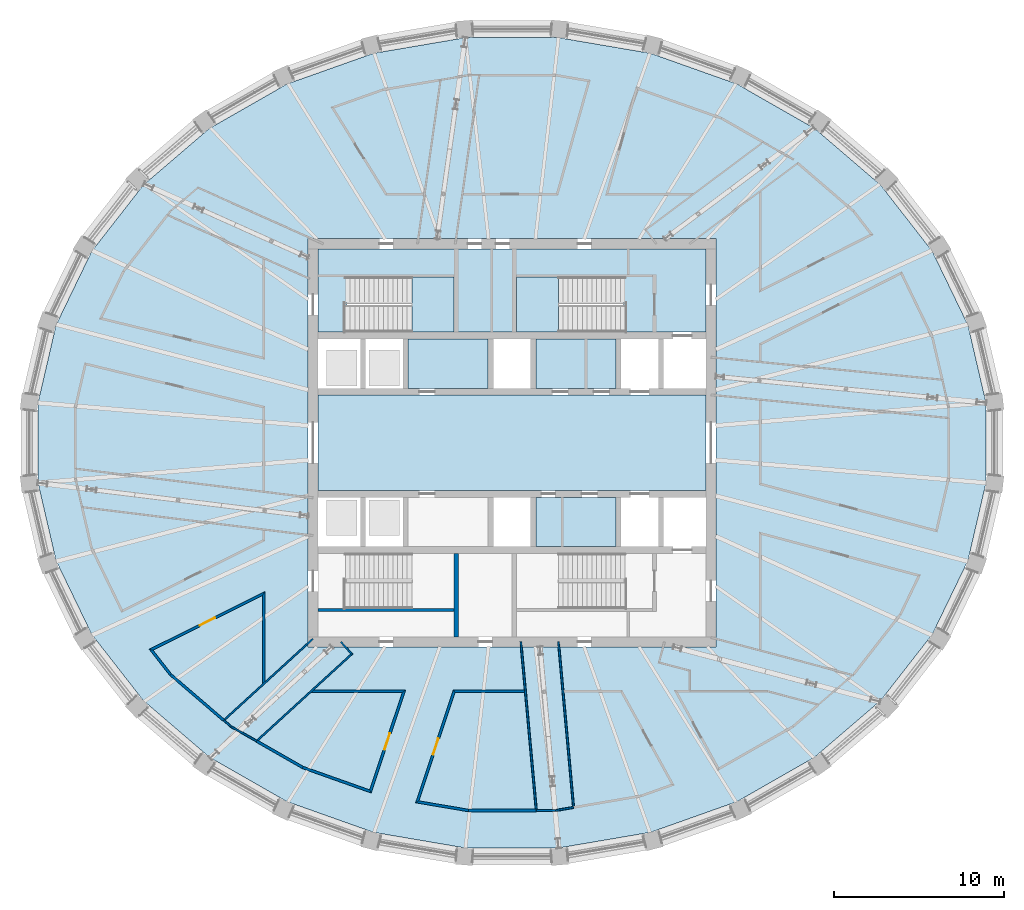
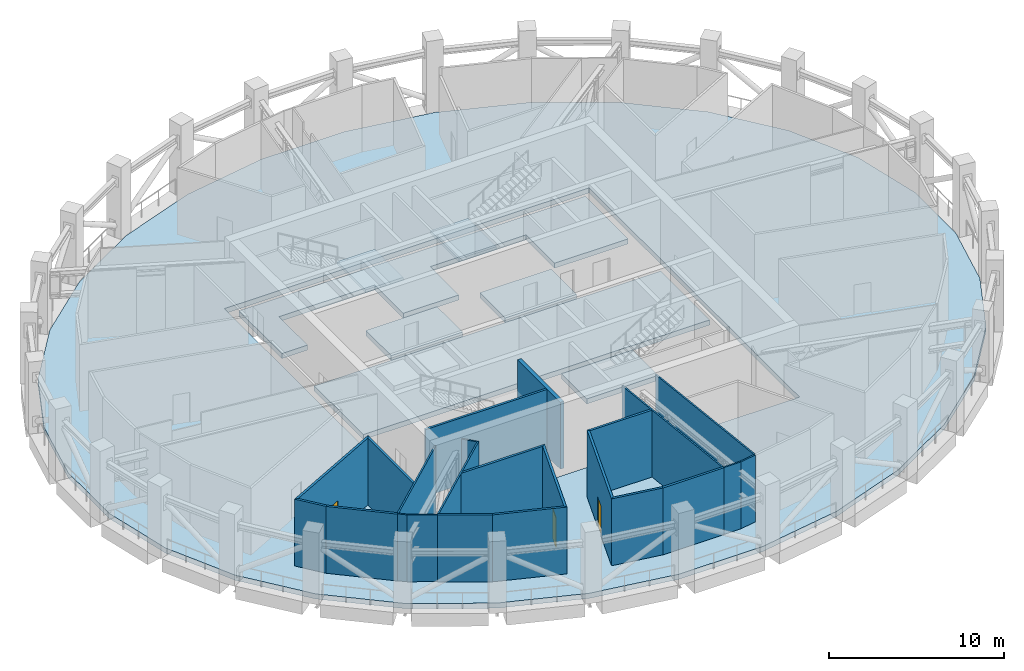
# One storey, part 7 of 20: 23 walls, 8 slabs, 3 doors, 3 openings, 2 elements without a shape of their own.
"""IFC4 building model written with IfcOpenShell, lengths in metres."""

from ifc_helpers import new_model, si_unit, direction, frame, frame_2d, origin, place, context, subcontext, project, spatial, polyline, rectangle, outline, extrude, material, layer, layer_set, type_object, element, fill, aggregate, save


model = new_model("IFC4")

# Units and contexts
model_context = context("Model", 3, precision=1e-05, world=origin(), true_north=direction((0.0, 1.0)))
body_context = subcontext(model_context, "Body", "Model", "MODEL_VIEW")
ifc_project = project(units=[si_unit("LENGTHUNIT", "METRE"), si_unit("AREAUNIT", "SQUARE_METRE"), si_unit("VOLUMEUNIT", "CUBIC_METRE"), si_unit("PLANEANGLEUNIT", "RADIAN"), si_unit("MASSUNIT", "GRAM", prefix="KILO")], contexts=[model_context])

# Site, building, storey
site_placement = place(None, origin())
site = spatial("IfcSite", under=ifc_project, at=site_placement, CompositionType="ELEMENT")
building_placement = place(site_placement, origin())
building = spatial("IfcBuilding", under=site, at=building_placement, Name="Halqa Exchange Tower", CompositionType="ELEMENT")
storey_placement = place(building_placement, frame((0.0, 0.0, 328.300048828125)))
storey = spatial("IfcBuildingStorey", under=building, at=storey_placement, Name="L77", CompositionType="ELEMENT", Elevation=328.300048828125)

# Slabs
ifc_material_1 = material(Name="Concrete C60/75", Category="concrete")
ifc_layer_1 = layer(ifc_material_1, 0.35009765625)
ifc_layer_set_1 = layer_set([ifc_layer_1], Name="Concrete C60/75")
slab_type_1 = type_object("IfcSlabType", Name="Core floor slab 350", PredefinedType="FLOOR", material=ifc_layer_set_1)
slab_1_placement = place(storey_placement, frame((0.0, 0.0, -0.35009765625)))
element("IfcSlab", 1, at=slab_1_placement, inside=storey, type_object=slab_type_1, Name="Core floor slab", PredefinedType="FLOOR", context=body_context, shape_type="SweptSolid", body=[
    extrude(outline(polyline([(-11.39990234375, 2.800048828125), (11.39990234375, 2.800048828125), (11.39990234375, -2.800048828125), (-11.39990234375, -2.800048828125), (-11.39990234375, 2.800048828125)])), origin(), (0.0, 0.0, 1.0), 0.35009765625),
])
slab_2_placement = place(storey_placement, frame((0.0, 0.0, -0.35009765625)))
element("IfcSlab", 2, at=slab_2_placement, inside=storey, type_object=slab_type_1, Name="Core floor slab", PredefinedType="FLOOR", context=body_context, shape_type="SweptSolid", body=[
    extrude(outline(polyline([(-11.39990234375, 11.39990234375), (11.39990234375, 11.39990234375), (11.39990234375, 6.5), (6.550048828125, 6.5), (6.550048828125, 9.75), (0.25, 9.75), (0.25, 6.5), (-3.39990234375, 6.5), (-3.39990234375, 9.75), (-9.699951171875, 9.75), (-9.699951171875, 6.5), (-11.39990234375, 6.5), (-11.39990234375, 11.39990234375)])), origin(), (0.0, 0.0, 1.0), 0.35009765625),
])
slab_3_placement = place(storey_placement, frame((0.0, 0.0, -0.35009765625)))
element("IfcSlab", 3, at=slab_3_placement, inside=storey, type_object=slab_type_1, Name="Core floor slab", PredefinedType="FLOOR", context=body_context, shape_type="SweptSolid", body=[
    extrude(outline(polyline([(-1.39990234375, 3.199951171875), (-6.10009765625, 3.199951171875), (-6.10009765625, 6.10009765625), (-1.39990234375, 6.10009765625), (-1.39990234375, 3.199951171875)])), origin(), (0.0, 0.0, 1.0), 0.35009765625),
])
slab_4_placement = place(storey_placement, frame((0.0, 0.0, -0.35009765625)))
element("IfcSlab", 4, at=slab_4_placement, inside=storey, type_object=slab_type_1, Name="Core floor slab", PredefinedType="FLOOR", context=body_context, shape_type="SweptSolid", body=[
    extrude(outline(polyline([(6.10009765625, -3.199951171875), (6.10009765625, -6.10009765625), (1.39990234375, -6.10009765625), (1.39990234375, -3.199951171875), (6.10009765625, -3.199951171875)])), origin(), (0.0, 0.0, 1.0), 0.35009765625),
])
slab_5_placement = place(storey_placement, frame((0.0, 0.0, -0.35009765625)))
element("IfcSlab", 5, at=slab_5_placement, inside=storey, type_object=slab_type_1, Name="Core floor slab", PredefinedType="FLOOR", context=body_context, shape_type="SweptSolid", body=[
    extrude(outline(polyline([(6.10009765625, 6.10009765625), (6.10009765625, 3.199951171875), (1.39990234375, 3.199951171875), (1.39990234375, 6.10009765625), (6.10009765625, 6.10009765625)])), origin(), (0.0, 0.0, 1.0), 0.35009765625),
])
ifc_material_2 = material(Name="Concrete C40/50", Category="concrete")
ifc_layer_2 = layer(ifc_material_2, 0.35009765625)
ifc_layer_set_2 = layer_set([ifc_layer_2], Name="Concrete C40/50")
slab_type_2 = type_object("IfcSlabType", Name="RC floor slab 350", PredefinedType="FLOOR", material=ifc_layer_set_2)
slab_6_placement = place(storey_placement, frame((0.0, 0.0, -0.35009765625)))
element("IfcSlab", 6, at=slab_6_placement, inside=storey, type_object=slab_type_2, Name="Floor slab", PredefinedType="FLOOR", context=body_context, shape_type="SweptSolid", body=[
    extrude(outline(polyline([(27.86279296875, 2.337158203125), (27.86279296875, -2.337158203125), (26.79833984375, -6.923828125), (24.707763671875, -11.250244140625), (21.667236328125, -15.150390625), (17.790771484375, -18.47314453125), (13.22509765625, -21.087890625), (8.146484375, -22.89111328125), (2.751220703125, -23.81103515625), (-2.751220703125, -23.81103515625), (-8.146484375, -22.89111328125), (-13.22509765625, -21.087890625), (-17.790771484375, -18.47314453125), (-21.667236328125, -15.150390625), (-24.707763671875, -11.250244140625), (-26.79833984375, -6.923828125), (-27.86279296875, -2.337158203125), (-27.86279296875, 2.337158203125), (-26.79833984375, 6.923828125), (-24.707763671875, 11.250244140625), (-21.667236328125, 15.150390625), (-17.790771484375, 18.47314453125), (-13.22509765625, 21.087890625), (-8.146484375, 22.89111328125), (-2.751220703125, 23.81103515625), (2.751220703125, 23.81103515625), (8.146484375, 22.89111328125), (13.22509765625, 21.087890625), (17.790771484375, 18.47314453125), (21.667236328125, 15.150390625), (24.707763671875, 11.250244140625), (26.79833984375, 6.923828125), (27.86279296875, 2.337158203125)]), holes=[polyline([(-12.0, -12.0), (12.0, -12.0), (12.0, 12.0), (-12.0, 12.0), (-12.0, -12.0)])]), origin(), (0.0, 0.0, 1.0), 0.35009765625),
])

# Stair, slab
ifc_material_3 = material(Name="Concrete C30/37", Category="concrete")
stair_type = type_object("IfcStairType", Name="Exit stair 1500 wide", PredefinedType="HALF_TURN_STAIR", material=ifc_material_3)
stair_1_placement = place(storey_placement, origin())
stair_1 = element("IfcStair", 7, at=stair_1_placement, inside=storey, type_object=stair_type, Name="Exit stair ST1", PredefinedType="HALF_TURN_STAIR")
ifc_layer_3 = layer(ifc_material_3, 0.199951171875)
ifc_layer_set_3 = layer_set([ifc_layer_3], Name="Concrete C30/37")
slab_type_3 = type_object("IfcSlabType", Name="Stair landing 200 slab", PredefinedType="LANDING", material=ifc_layer_set_3)
slab_7_placement = place(storey_placement, frame((0.0, 0.0, 2.300048828125)))
slab_7 = element("IfcSlab", 8, at=slab_7_placement, type_object=slab_type_3, Name="ST1 landing 1", PredefinedType="LANDING", context=body_context, shape_type="SweptSolid", body=[
    extrude(outline(polyline([(-5.8798828125, 6.5), (-3.39990234375, 6.5), (-3.39990234375, 9.75), (-5.8798828125, 9.75), (-5.8798828125, 6.5)])), origin(), (0.0, 0.0, 1.0), 0.199951171875),
])
aggregate(stair_1, [slab_7])

stair_2_placement = place(storey_placement, origin())
stair_2 = element("IfcStair", 9, at=stair_2_placement, inside=storey, type_object=stair_type, Name="Exit stair ST2", PredefinedType="HALF_TURN_STAIR")
slab_8_placement = place(storey_placement, frame((0.0, 0.0, 2.300048828125)))
slab_8 = element("IfcSlab", 10, at=slab_8_placement, type_object=slab_type_3, Name="ST2 landing 1", PredefinedType="LANDING", context=body_context, shape_type="SweptSolid", body=[
    extrude(outline(polyline([(0.25, 6.5), (2.72998046875, 6.5), (2.72998046875, 9.75), (0.25, 9.75), (0.25, 6.5)])), origin(), (0.0, 0.0, 1.0), 0.199951171875),
])
aggregate(stair_2, [slab_8])

# Walls
ifc_material_4 = material(Name="Fire-rated gypsum board")
ifc_layer_4 = layer(ifc_material_4, 0.14990234375)
ifc_layer_set_4 = layer_set([ifc_layer_4], Name="Fire-rated gypsum board")
wall_type_1 = type_object("IfcWallType", Name="Fire partition EI 60 150", PredefinedType="PARTITIONING", material=ifc_layer_set_4)
wall_1_placement = place(storey_placement, frame((-21.266357421875, -12.087646484375, 0.0), z_axis=(0.0, 0.0, 1.0), x_axis=(0.615359969765, -0.788246222706, 0.0)))
element("IfcWall", 11, at=wall_1_placement, inside=storey, type_object=wall_type_1, Name="L77-PWL-012", PredefinedType="PARTITIONING", context=body_context, shape_type="SweptSolid", body=[
    extrude(outline(polyline([(0.000244140625, -0.074951171875), (1.951416015625, -0.074951171875), (1.9365234375, 0.074951171875), (0.18359375, 0.074951171875), (0.000244140625, -0.074951171875)])), origin(), (0.0, 0.0, 1.0), 4.64990234375),
])
wall_2_placement = place(storey_placement, frame((-20.07568359375, -13.614990234375, 0.0), z_axis=(0.0, 0.0, 1.0), x_axis=(0.75838482234, -0.651807073638, 0.0)))
element("IfcWall", 12, at=wall_2_placement, inside=storey, type_object=wall_type_1, Name="L77-PWL-015", PredefinedType="PARTITIONING", context=body_context, shape_type="SweptSolid", body=[
    extrude(outline(polyline([(4.134765625, 0.074951171875), (2.761474609375, 0.074951171875), (1.38818359375, 0.074951171875), (0.01513671875, 0.074951171875), (0.000244140625, -0.074951171875), (1.37841796875, -0.074951171875), (2.756591796875, -0.074951171875), (4.134765625, -0.074951171875), (4.134765625, 0.074951171875)])), origin(), (0.0, 0.0, 1.0), 4.64990234375),
])
wall_3_placement = place(storey_placement, frame((-15.010009765625, -17.530029296875, 0.0), z_axis=(0.0, 0.0, 1.0), x_axis=(0.868060601706, -0.496458247757, 0.0)))
element("IfcWall", 13, at=wall_3_placement, inside=storey, type_object=wall_type_1, Name="L77-PWL-022", PredefinedType="PARTITIONING", context=body_context, shape_type="SweptSolid", body=[
    extrude(outline(polyline([(3.128662109375, -0.074951171875), (3.128662109375, -0.074951171875), (3.115234375, 0.074951171875), (1.5576171875, 0.074951171875), (0.0, 0.074951171875), (0.0, -0.074951171875), (1.564453125, -0.074951171875), (3.128662109375, -0.074951171875)])), origin(), (0.0, 0.0, 1.0), 4.64990234375),
])
wall_4_placement = place(storey_placement, frame((-14.60009765625, -14.17138671875, 0.0), z_axis=(0.0, 0.0, 1.0), x_axis=(0.0, 1.0, 0.0)))
element("IfcWall", 14, at=wall_4_placement, inside=storey, type_object=wall_type_1, Name="L77-PWL-024", PredefinedType="PARTITIONING", context=body_context, shape_type="SweptSolid", body=[
    extrude(outline(polyline([(0.13671875, -0.074951171875), (1.90185546875, -0.074951171875), (3.667236328125, -0.074951171875), (5.432373046875, -0.074951171875), (5.311279296875, 0.0), (5.190185546875, 0.074951171875), (5.190185546875, 0.074951171875), (5.18994140625, 0.074951171875), (3.4599609375, 0.074951171875), (1.72998046875, 0.074951171875), (0.0, 0.074951171875), (0.0, 0.074462890625), (0.13671875, -0.074951171875)])), origin(), (0.0, 0.0, 1.0), 4.64990234375),
])

# Wall, opening, door
wall_5_placement = place(storey_placement, frame((-14.491455078125, -8.805908203125, 0.0), z_axis=(0.0, 0.0, 1.0), x_axis=(-0.89470325258, -0.446661045786, 0.0)))
wall_5 = element("IfcWall", 15, at=wall_5_placement, inside=storey, type_object=wall_type_1, Name="L77-PWL-025", PredefinedType="PARTITIONING", context=body_context, shape_type="SweptSolid", body=[
    extrude(outline(polyline([(7.600830078125, -0.074951171875), (7.600830078125, -0.074951171875), (7.41748046875, 0.074951171875), (5.623779296875, 0.074951171875), (3.830078125, 0.074951171875), (2.036376953125, 0.074951171875), (0.24267578125, 0.074951171875), (0.000244140625, -0.074951171875), (1.900390625, -0.074951171875), (3.800537109375, -0.074951171875), (5.70068359375, -0.074951171875), (7.600830078125, -0.074951171875)])), origin(), (0.0, 0.0, 1.0), 4.64990234375),
])
opening_1_placement = place(wall_5_placement, frame((3.315185546875, 0.0, 0.0)))
opening_1 = element("IfcOpeningElement", 16, at=opening_1_placement, cuts=wall_5, Name="Opening L77-02", PredefinedType="OPENING", context=body_context, shape_type="SweptSolid", body=[
    extrude(rectangle(XDim=1.0, YDim=2.10009765625, at=frame_2d((0.5, 1.050048828125))), frame((0.0, 0.0869140625, 0.0), z_axis=(0.0, -1.0, 0.0), x_axis=(1.0, 0.0, 0.0)), (0.0, 0.0, 1.0), 0.173828125),
])
ifc_material_5 = material(Name="Steel fire door leaf", Category="steel")
door_type = type_object("IfcDoorType", Name="Fire door FD30S 1000 x 2100", OperationType="SINGLE_SWING_LEFT", PredefinedType="DOOR", material=ifc_material_5)
door_1_placement = place(opening_1_placement, origin())
door_1 = element("IfcDoor", 17, at=door_1_placement, inside=storey, type_object=door_type, Name="L77-IDR-002", OperationType="SINGLE_SWING_RIGHT", OverallHeight=2.10009765625, OverallWidth=1.0, PredefinedType="DOOR", context=body_context, shape_type="SweptSolid", body=[
    extrude(rectangle(XDim=1.0, YDim=2.10009765625, at=frame_2d((0.5, 1.050048828125))), frame((0.0, 0.02490234375, 0.0), z_axis=(0.0, -1.0, 0.0), x_axis=(1.0, 0.0, 0.0)), (0.0, 0.0, 1.0), 0.050048828125),
])
fill(opening_1, door_1)

# Wall
wall_6_placement = place(storey_placement, frame((-12.306396484375, -19.077880859375, 0.0), z_axis=(0.0, 0.0, 1.0), x_axis=(0.9426149562, -0.333881781995, 0.0)))
element("IfcWall", 18, at=wall_6_placement, inside=storey, type_object=wall_type_1, Name="L77-PWL-030", PredefinedType="PARTITIONING", context=body_context, shape_type="SweptSolid", body=[
    extrude(outline(polyline([(0.0, -0.074951171875), (1.43505859375, -0.074951171875), (2.8701171875, -0.074951171875), (4.305419921875, -0.074951171875), (4.15283203125, 0.074951171875), (2.77294921875, 0.074951171875), (1.393310546875, 0.074951171875), (0.013427734375, 0.074951171875), (0.0, -0.074951171875), (0.0, -0.074951171875)])), origin(), (0.0, 0.0, 1.0), 4.64990234375),
])

# Wall, opening, door
wall_7_placement = place(storey_placement, frame((-8.34423828125, -20.5625, 0.0), z_axis=(0.0, 0.0, 1.0), x_axis=(0.317201665136, 0.948358109384, 0.0)))
wall_7 = element("IfcWall", 19, at=wall_7_placement, inside=storey, type_object=wall_type_1, Name="L77-PWL-033", PredefinedType="PARTITIONING", context=body_context, shape_type="SweptSolid", body=[
    extrude(outline(polyline([(0.000244140625, -0.074951171875), (1.597900390625, -0.074951171875), (3.19580078125, -0.074951171875), (4.79345703125, -0.074951171875), (6.391357421875, -0.074951171875), (6.18310546875, 0.074951171875), (4.675537109375, 0.074951171875), (3.16796875, 0.074951171875), (1.660400390625, 0.074951171875), (0.15283203125, 0.074951171875), (0.000244140625, -0.074951171875)])), origin(), (0.0, 0.0, 1.0), 4.64990234375),
])
opening_2_placement = place(wall_7_placement, frame((2.681640625, 0.0, 0.0)))
opening_2 = element("IfcOpeningElement", 20, at=opening_2_placement, cuts=wall_7, Name="Opening L77-03", PredefinedType="OPENING", context=body_context, shape_type="SweptSolid", body=[
    extrude(rectangle(XDim=1.0, YDim=2.10009765625, at=frame_2d((0.5, 1.050048828125))), frame((0.0, 0.0869140625, 0.0), z_axis=(0.0, -1.0, 0.0), x_axis=(1.0, 0.0, 0.0)), (0.0, 0.0, 1.0), 0.173828125),
])
door_2_placement = place(opening_2_placement, origin())
door_2 = element("IfcDoor", 21, at=door_2_placement, inside=storey, type_object=door_type, Name="L77-IDR-003", OperationType="SINGLE_SWING_RIGHT", OverallHeight=2.10009765625, OverallWidth=1.0, PredefinedType="DOOR", context=body_context, shape_type="SweptSolid", body=[
    extrude(rectangle(XDim=1.0, YDim=2.10009765625, at=frame_2d((0.5, 1.050048828125))), frame((0.0, 0.02490234375, 0.0), z_axis=(0.0, -1.0, 0.0), x_axis=(1.0, 0.0, 0.0)), (0.0, 0.0, 1.0), 0.050048828125),
])
fill(opening_2, door_2)

# Walls
wall_8_placement = place(storey_placement, frame((-6.245849609375, -14.60009765625, 0.0), z_axis=(0.0, 0.0, 1.0), x_axis=(-1.0, 0.0, 0.0)))
element("IfcWall", 22, at=wall_8_placement, inside=storey, type_object=wall_type_1, Name="L77-PWL-037", PredefinedType="PARTITIONING", context=body_context, shape_type="SweptSolid", body=[
    extrude(outline(polyline([(0.000244140625, -0.074951171875), (1.80126953125, -0.074951171875), (3.602294921875, -0.074951171875), (5.403564453125, -0.074951171875), (5.5673828125, 0.074951171875), (3.781005859375, 0.074951171875), (1.994873046875, 0.074951171875), (0.20849609375, 0.074951171875), (0.208251953125, 0.074951171875), (0.208251953125, 0.074951171875), (0.104248046875, 0.0), (0.000244140625, -0.074951171875)])), origin(), (0.0, 0.0, 1.0), 4.64990234375),
])
wall_9_placement = place(storey_placement, frame((-5.65625, -21.08544921875, 0.0), z_axis=(0.0, 0.0, 1.0), x_axis=(0.985950038145, -0.167040480967, 0.0)))
element("IfcWall", 23, at=wall_9_placement, inside=storey, type_object=wall_type_1, Name="L77-PWL-038", PredefinedType="PARTITIONING", context=body_context, shape_type="SweptSolid", body=[
    extrude(outline(polyline([(0.0, -0.074951171875), (1.5732421875, -0.074951171875), (3.146728515625, -0.074951171875), (3.134033203125, 0.074951171875), (1.654541015625, 0.074951171875), (0.1748046875, 0.074951171875), (0.0, -0.074951171875), (0.0, -0.074951171875)])), origin(), (0.0, 0.0, 1.0), 4.64990234375),
])

# Wall, opening, door
wall_10_placement = place(storey_placement, frame((-3.3828125, -14.548583984375, 0.0), z_axis=(0.0, 0.0, 1.0), x_axis=(-0.316657063648, -0.948540090899, 0.0)))
wall_10 = element("IfcWall", 24, at=wall_10_placement, inside=storey, type_object=wall_type_1, Name="L77-PWL-040", PredefinedType="PARTITIONING", context=body_context, shape_type="SweptSolid", body=[
    extrude(outline(polyline([(0.000244140625, -0.074951171875), (1.748779296875, -0.074951171875), (3.497314453125, -0.074951171875), (5.245849609375, -0.074951171875), (6.994384765625, -0.074951171875), (6.8193359375, 0.074951171875), (5.1416015625, 0.074951171875), (3.463623046875, 0.074951171875), (1.785888671875, 0.074951171875), (0.108154296875, 0.074951171875), (0.000244140625, -0.074951171875)])), origin(), (0.0, 0.0, 1.0), 4.64990234375),
])
opening_3_placement = place(wall_10_placement, frame((2.98046875, 0.0, 0.0)))
opening_3 = element("IfcOpeningElement", 25, at=opening_3_placement, cuts=wall_10, Name="Opening L77-04", PredefinedType="OPENING", context=body_context, shape_type="SweptSolid", body=[
    extrude(rectangle(XDim=1.0, YDim=2.10009765625, at=frame_2d((0.5, 1.050048828125))), frame((0.0, 0.0869140625, 0.0), z_axis=(0.0, -1.0, 0.0), x_axis=(1.0, 0.0, 0.0)), (0.0, 0.0, 1.0), 0.173828125),
])
door_3_placement = place(opening_3_placement, origin())
door_3 = element("IfcDoor", 26, at=door_3_placement, inside=storey, type_object=door_type, Name="L77-IDR-004", OperationType="SINGLE_SWING_LEFT", OverallHeight=2.10009765625, OverallWidth=1.0, PredefinedType="DOOR", context=body_context, shape_type="SweptSolid", body=[
    extrude(rectangle(XDim=1.0, YDim=2.10009765625, at=frame_2d((0.5, 1.050048828125))), frame((0.0, 0.02490234375, 0.0), z_axis=(0.0, -1.0, 0.0), x_axis=(1.0, 0.0, 0.0)), (0.0, 0.0, 1.0), 0.050048828125),
])
fill(opening_3, door_3)

# Walls
wall_11_placement = place(storey_placement, frame((-2.56640625, -21.610107421875, 0.0), z_axis=(0.0, 0.0, 1.0), x_axis=(1.0, 0.0, 0.0)))
element("IfcWall", 27, at=wall_11_placement, inside=storey, type_object=wall_type_1, Name="L77-PWL-043", PredefinedType="PARTITIONING", context=body_context, shape_type="SweptSolid", body=[
    extrude(outline(polyline([(3.996337890625, 0.074951171875), (2.004638671875, 0.074951171875), (0.0126953125, 0.074951171875), (0.0, -0.074951171875), (1.998291015625, -0.074951171875), (3.996337890625, -0.074951171875), (3.996337890625, 0.074951171875)])), origin(), (0.0, 0.0, 1.0), 4.64990234375),
])
wall_12_placement = place(storey_placement, frame((0.742431640625, -14.60009765625, 0.0), z_axis=(0.0, 0.0, 1.0), x_axis=(-1.0, 0.0, 0.0)))
element("IfcWall", 28, at=wall_12_placement, inside=storey, type_object=wall_type_1, Name="L77-PWL-047", PredefinedType="PARTITIONING", context=body_context, shape_type="SweptSolid", body=[
    extrude(outline(polyline([(0.01318359375, -0.074951171875), (1.40771484375, -0.074951171875), (2.802001953125, -0.074951171875), (4.1962890625, -0.074951171875), (4.142333984375, 0.0), (4.08837890625, 0.074951171875), (2.7255859375, 0.074951171875), (1.36279296875, 0.074951171875), (0.0, 0.074951171875), (0.0, 0.0693359375), (0.01318359375, -0.074951171875)])), origin(), (0.0, 0.0, 1.0), 4.64990234375),
])
ifc_material_6 = material(Name="Gypsum board")
ifc_layer_5 = layer(ifc_material_6, 0.10009765625)
ifc_layer_set_5 = layer_set([ifc_layer_5], Name="Gypsum board")
wall_type_2 = type_object("IfcWallType", Name="Partition 100 gypsum", PredefinedType="PARTITIONING", material=ifc_layer_set_5)
wall_13_placement = place(storey_placement, frame((-16.93994140625, -16.31005859375, 0.0), z_axis=(0.0, 0.0, 1.0), x_axis=(0.759287493017, -0.650755332632, 0.0)))
element("IfcWall", 29, at=wall_13_placement, inside=storey, type_object=wall_type_2, Name="L77-PWL-019", PredefinedType="PARTITIONING", context=body_context, shape_type="SweptSolid", body=[
    extrude(outline(polyline([(0.557861328125, -0.050048828125), (0.557861328125, -0.0498046875), (0.54833984375, 0.050048828125), (0.0, 0.050048828125), (0.0, -0.050048828125), (0.557861328125, -0.050048828125)])), origin(), (0.0, 0.0, 1.0), 4.64990234375),
])
wall_14_placement = place(storey_placement, frame((-16.898193359375, -16.27197265625, 0.0), z_axis=(0.0, 0.0, 1.0), x_axis=(0.738080105563, 0.674713092931, 0.0)))
element("IfcWall", 30, at=wall_14_placement, inside=storey, type_object=wall_type_2, Name="L77-PWL-020", PredefinedType="PARTITIONING", context=body_context, shape_type="SweptSolid", body=[
    extrude(outline(polyline([(7.04296875, 0.050048828125), (5.152099609375, 0.050048828125), (3.26123046875, 0.050048828125), (3.25927734375, 0.048095703125), (3.257080078125, 0.050048828125), (1.635009765625, 0.050048828125), (0.012939453125, 0.050048828125), (0.01806640625, 0.009033203125), (0.0, 0.0068359375), (0.0, -0.050048828125), (1.7607421875, -0.050048828125), (3.521484375, -0.050048828125), (5.2822265625, -0.050048828125), (7.04296875, -0.050048828125), (7.04296875, 0.050048828125)])), origin(), (0.0, 0.0, 1.0), 4.64990234375),
])
wall_15_placement = place(storey_placement, frame((-16.524169921875, -16.66748046875, 0.0), z_axis=(0.0, 0.0, 1.0), x_axis=(0.868906227939, -0.494976733845, 0.0)))
element("IfcWall", 31, at=wall_15_placement, inside=storey, type_object=wall_type_2, Name="L77-PWL-021", PredefinedType="PARTITIONING", context=body_context, shape_type="SweptSolid", body=[
    extrude(outline(polyline([(1.74267578125, 0.050048828125), (0.009765625, 0.050048828125), (0.0, -0.050048828125), (1.74267578125, -0.050048828125), (1.74267578125, 0.050048828125)])), origin(), (0.0, 0.0, 1.0), 4.64990234375),
])
wall_16_placement = place(storey_placement, frame((-14.983154296875, -17.50537109375, 0.0), z_axis=(0.0, 0.0, 1.0), x_axis=(0.738034752837, 0.6747627017, 0.0)))
element("IfcWall", 32, at=wall_16_placement, inside=storey, type_object=wall_type_2, Name="L77-PWL-023", PredefinedType="PARTITIONING", context=body_context, shape_type="SweptSolid", body=[
    extrude(outline(polyline([(0.058349609375, -0.050048828125), (1.52783203125, -0.050048828125), (2.99755859375, -0.050048828125), (4.467041015625, -0.050048828125), (4.46923828125, -0.0478515625), (4.4716796875, -0.050048828125), (6.036376953125, -0.050048828125), (7.601318359375, -0.050048828125), (7.601318359375, -0.050048828125), (7.55126953125, 0.0), (7.501220703125, 0.050048828125), (7.501220703125, 0.050048828125), (5.6259765625, 0.050048828125), (3.750732421875, 0.050048828125), (1.875244140625, 0.050048828125), (0.0, 0.050048828125), (0.0, 0.0498046875), (0.010986328125, 0.015380859375), (0.0, 0.01171875), (0.0, 0.01171875), (0.034912109375, 0.02294921875), (0.058349609375, -0.050048828125)])), origin(), (0.0, 0.0, 1.0), 4.64990234375),
])
wall_17_placement = place(storey_placement, frame((-9.376220703125, -12.447021484375, 0.0), z_axis=(0.0, 0.0, 1.0), x_axis=(-0.67520050009, 0.73763424858, 0.0)))
element("IfcWall", 33, at=wall_17_placement, inside=storey, type_object=wall_type_2, Name="L77-PWL-032", PredefinedType="PARTITIONING", context=body_context, shape_type="SweptSolid", body=[
    extrude(outline(polyline([(1.0126953125, 0.050048828125), (0.100341796875, 0.050048828125), (0.0, -0.050048828125), (1.0126953125, -0.050048828125), (1.0126953125, 0.050048828125)])), origin(), (0.0, 0.0, 1.0), 4.64990234375),
])
wall_18_placement = place(storey_placement, frame((0.52001953125, -11.699951171875, 0.0), z_axis=(0.0, 0.0, 1.0), x_axis=(0.091437926601, -0.995810777999, 0.0)))
element("IfcWall", 34, at=wall_18_placement, inside=storey, type_object=wall_type_2, Name="L77-PWL-046", PredefinedType="PARTITIONING", context=body_context, shape_type="SweptSolid", body=[
    extrude(outline(polyline([(0.0, -0.050048828125), (1.416259765625, -0.050048828125), (2.832275390625, -0.050048828125), (2.83251953125, -0.04931640625), (2.841552734375, -0.050048828125), (4.59912109375, -0.050048828125), (6.356689453125, -0.050048828125), (8.1142578125, -0.050048828125), (9.871826171875, -0.050048828125), (9.876953125, 0.0068359375), (9.90185546875, 0.004638671875), (9.90576171875, 0.046142578125), (9.90576171875, 0.050048828125), (7.924560546875, 0.050048828125), (5.943359375, 0.050048828125), (3.96240234375, 0.050048828125), (1.981201171875, 0.050048828125), (0.0, 0.050048828125), (0.0, -0.050048828125)])), origin(), (0.0, 0.0, 1.0), 4.64990234375),
])
wall_19_placement = place(storey_placement, frame((1.429931640625, -21.610107421875, 0.0), z_axis=(0.0, 0.0, 1.0), x_axis=(1.0, 0.0, 0.0)))
element("IfcWall", 35, at=wall_19_placement, inside=storey, type_object=wall_type_2, Name="L77-PWL-048", PredefinedType="PARTITIONING", context=body_context, shape_type="SweptSolid", body=[
    extrude(outline(polyline([(1.13427734375, -0.050048828125), (1.13427734375, -0.0498046875), (1.1259765625, 0.050048828125), (0.0, 0.050048828125), (0.0, -0.050048828125), (1.13427734375, -0.050048828125)])), origin(), (0.0, 0.0, 1.0), 4.64990234375),
])
wall_20_placement = place(storey_placement, frame((2.555908203125, -21.610595703125, 0.0), z_axis=(0.0, 0.0, 1.0), x_axis=(0.985894311429, 0.167369073287, 0.0)))
element("IfcWall", 36, at=wall_20_placement, inside=storey, type_object=wall_type_2, Name="L77-PWL-049", PredefinedType="PARTITIONING", context=body_context, shape_type="SweptSolid", body=[
    extrude(outline(polyline([(1.079345703125, 0.050048828125), (0.00830078125, 0.050048828125), (0.0, -0.049072265625), (0.0, -0.050048828125), (1.079345703125, -0.050048828125), (1.079345703125, 0.050048828125)])), origin(), (0.0, 0.0, 1.0), 4.64990234375),
])
wall_21_placement = place(storey_placement, frame((2.72998046875, -11.699951171875, 0.0), z_axis=(0.0, 0.0, 1.0), x_axis=(0.091085808065, -0.995843047658, 0.0)))
element("IfcWall", 37, at=wall_21_placement, inside=storey, type_object=wall_type_2, Name="L77-PWL-053", PredefinedType="PARTITIONING", context=body_context, shape_type="SweptSolid", body=[
    extrude(outline(polyline([(9.724365234375, -0.050048828125), (9.724365234375, -0.050048828125), (9.720703125, -0.00390625), (9.69580078125, -0.005859375), (9.69140625, 0.050048828125), (7.753173828125, 0.050048828125), (5.81494140625, 0.050048828125), (3.876708984375, 0.050048828125), (1.938232421875, 0.050048828125), (0.0, 0.050048828125), (0.0, -0.050048828125), (1.94482421875, -0.050048828125), (3.8896484375, -0.050048828125), (5.834716796875, -0.050048828125), (7.779541015625, -0.050048828125), (9.724365234375, -0.050048828125)])), origin(), (0.0, 0.0, 1.0), 4.64990234375),
])
ifc_layer_6 = layer(ifc_material_3, 0.14990234375)
ifc_layer_set_6 = layer_set([ifc_layer_6], Name="Concrete C30/37")
wall_type_3 = type_object("IfcWallType", Name="RC stair wall 150 C30/37", PredefinedType="SHEAR", material=ifc_layer_set_6)
wall_22_placement = place(storey_placement, frame((-11.39990234375, -9.824951171875, 0.0), z_axis=(0.0, 0.0, 1.0), x_axis=(1.0, 0.0, 0.0)))
element("IfcWall", 38, at=wall_22_placement, inside=storey, type_object=wall_type_3, Name="Stair ST1 north wall S", PredefinedType="SHEAR", context=body_context, shape_type="SweptSolid", body=[
    extrude(rectangle(XDim=8.0, YDim=0.14990234375, at=frame_2d((4.0, 0.0))), origin(), (0.0, 0.0, 1.0), 4.64990234375),
])
ifc_layer_7 = layer(ifc_material_3, 0.25)
ifc_layer_set_7 = layer_set([ifc_layer_7], Name="Concrete C30/37")
wall_type_4 = type_object("IfcWallType", Name="RC stair wall 250 C30/37", PredefinedType="SHEAR", material=ifc_layer_set_7)
wall_23_placement = place(storey_placement, frame((-3.27490234375, -11.39990234375, 0.0), z_axis=(0.0, 0.0, 1.0), x_axis=(0.0, 1.0, 0.0)))
element("IfcWall", 39, at=wall_23_placement, inside=storey, type_object=wall_type_4, Name="Stair ST1 east wall S", PredefinedType="SHEAR", context=body_context, shape_type="SweptSolid", body=[
    extrude(rectangle(XDim=4.89990234375, YDim=0.25, at=frame_2d((2.449951171875, 0.0))), origin(), (0.0, 0.0, 1.0), 4.64990234375),
])

save(model, "model.ifc")
